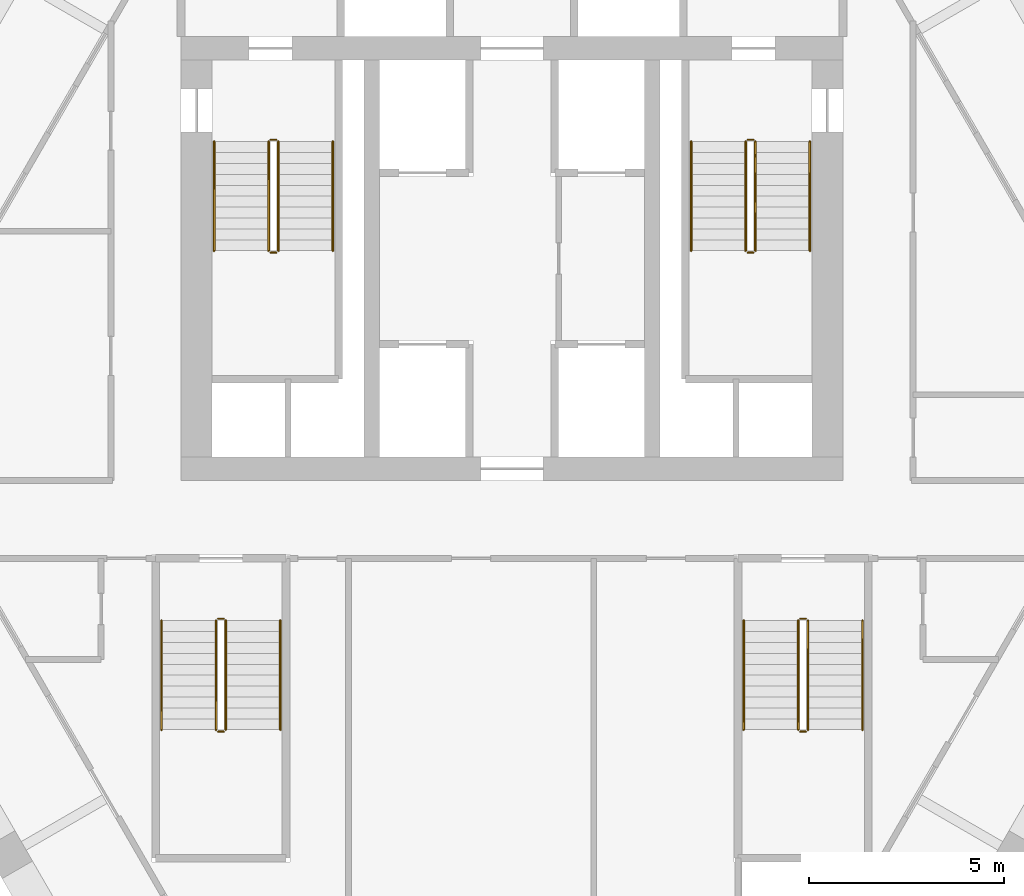
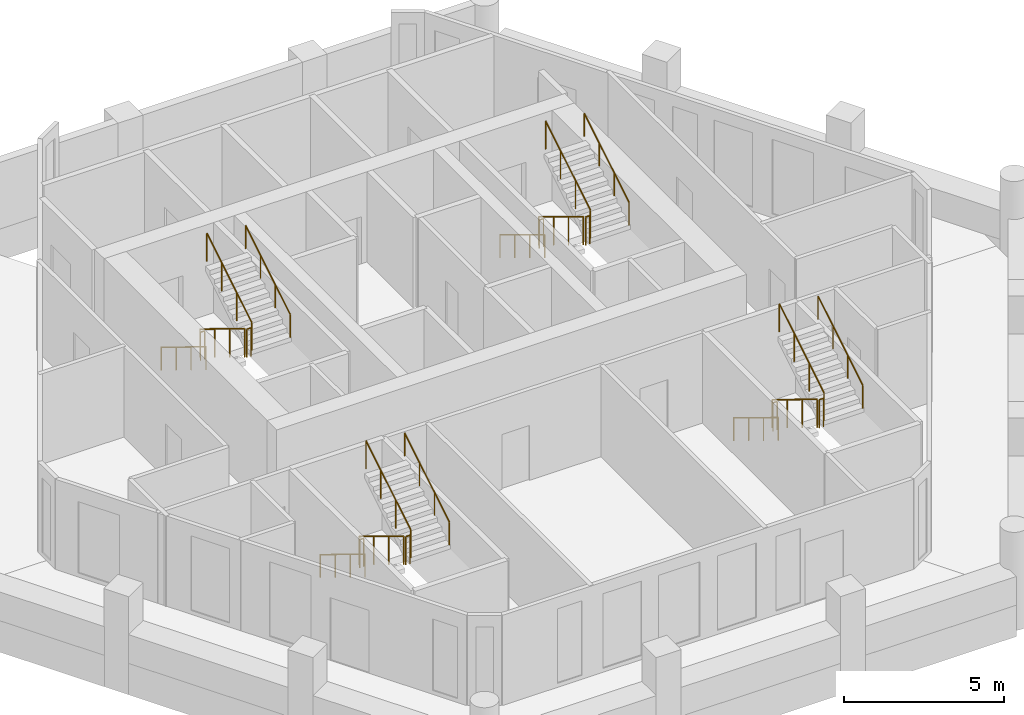
# One storey, part 6 of 6: 24 railings.
"""IFC4 building model written with IfcOpenShell, lengths in metres."""

from ifc_helpers import new_model, si_unit, direction, frame, origin, origin_2d, place, context, subcontext, project, spatial, circle, extrude, material, type_object, element, save


model = new_model("IFC4")

# Units and contexts
model_context = context("Model", 3, precision=1e-05, world=origin(), true_north=direction((0.0, 1.0)))
body_context = subcontext(model_context, "Body", "Model", "MODEL_VIEW")
ifc_project = project(units=[si_unit("LENGTHUNIT", "METRE"), si_unit("AREAUNIT", "SQUARE_METRE"), si_unit("VOLUMEUNIT", "CUBIC_METRE"), si_unit("PLANEANGLEUNIT", "RADIAN"), si_unit("MASSUNIT", "GRAM", prefix="KILO")], contexts=[model_context])

# Site, building, storey
site_placement = place(None, origin())
site = spatial("IfcSite", under=ifc_project, at=site_placement, CompositionType="ELEMENT")
building_placement = place(site_placement, origin())
building = spatial("IfcBuilding", under=site, at=building_placement, Name="Ostrander Bayou Hotel Tower", CompositionType="ELEMENT")
storey_placement = place(building_placement, frame((0.0, 0.0, 218.25)))
storey = spatial("IfcBuildingStorey", under=building, at=storey_placement, Name="L54", CompositionType="ELEMENT", Elevation=218.25)

# Railings
ifc_material_1 = material(Name="Steel ASTM A500 Gr C", Category="steel")
railing_type_1 = type_object("IfcRailingType", Name="GR1 stair guard 1100 mm steel", PredefinedType="GUARDRAIL", material=ifc_material_1)
railing_1_placement = place(storey_placement, frame((-6.25, 7.0, 0.17041015625)))
element("IfcRailing", 1, at=railing_1_placement, inside=storey, type_object=railing_type_1, Name="L54 STA stair guard 1", PredefinedType="GUARDRAIL", context=body_context, shape_type="SweptSolid", body=[
    extrude(circle(Radius=0.02392578125, at=origin_2d()), frame((0.0, 0.0, 1.076171875), z_axis=(0.0, -0.854169791009, 0.51999420009), x_axis=(1.0, 0.0, 0.0)), (0.0, 0.0, 1.0), 3.278076171875),
    extrude(circle(Radius=0.02099609375, at=origin_2d()), origin(), (0.0, 0.0, 1.0), 1.052001953125),
    extrude(circle(Radius=0.02099609375, at=origin_2d()), frame((0.0, -0.933349609375, 0.568115234375)), (0.0, 0.0, 1.0), 1.052001953125),
    extrude(circle(Radius=0.02099609375, at=origin_2d()), frame((0.0, -1.86669921875, 1.136474609375)), (0.0, 0.0, 1.0), 1.052001953125),
    extrude(circle(Radius=0.02099609375, at=origin_2d()), frame((0.0, -2.800048828125, 1.70458984375)), (0.0, 0.0, 1.0), 1.052001953125),
])
railing_2_placement = place(storey_placement, frame((-6.199951171875, 4.14990234375, 1.875)))
element("IfcRailing", 2, at=railing_2_placement, inside=storey, type_object=railing_type_1, Name="L54 STA stair guard 2", PredefinedType="GUARDRAIL", context=body_context, shape_type="SweptSolid", body=[
    extrude(circle(Radius=0.02392578125, at=origin_2d()), frame((0.0, 0.0, 1.076171875), z_axis=(1.0, 0.0, 0.0), x_axis=(0.0, 1.0, 0.0)), (0.0, 0.0, 1.0), 0.14990234375),
    extrude(circle(Radius=0.02099609375, at=origin_2d()), origin(), (0.0, 0.0, 1.0), 1.052001953125),
    extrude(circle(Radius=0.02099609375, at=origin_2d()), frame((0.14990234375, 0.0, 0.0)), (0.0, 0.0, 1.0), 1.052001953125),
])
railing_3_placement = place(storey_placement, frame((-6.0, 4.199951171875, 2.04541015625)))
element("IfcRailing", 3, at=railing_3_placement, inside=storey, type_object=railing_type_1, Name="L54 STA stair guard 3", PredefinedType="GUARDRAIL", context=body_context, shape_type="SweptSolid", body=[
    extrude(circle(Radius=0.02392578125, at=origin_2d()), frame((0.0, 0.0, 1.076171875), z_axis=(0.0, 0.854169791009, 0.51999420009), x_axis=(-1.0, 0.0, 0.0)), (0.0, 0.0, 1.0), 3.278076171875),
    extrude(circle(Radius=0.02099609375, at=origin_2d()), origin(), (0.0, 0.0, 1.0), 1.052001953125),
    extrude(circle(Radius=0.02099609375, at=origin_2d()), frame((0.0, 0.933349609375, 0.568115234375)), (0.0, 0.0, 1.0), 1.052001953125),
    extrude(circle(Radius=0.02099609375, at=origin_2d()), frame((0.0, 1.86669921875, 1.136474609375)), (0.0, 0.0, 1.0), 1.052001953125),
    extrude(circle(Radius=0.02099609375, at=origin_2d()), frame((0.0, 2.800048828125, 1.70458984375)), (0.0, 0.0, 1.0), 1.052001953125),
])
railing_4_placement = place(storey_placement, frame((-6.199951171875, 7.050048828125, 0.0)))
element("IfcRailing", 4, at=railing_4_placement, inside=storey, type_object=railing_type_1, Name="L54 STA stair guard 4", PredefinedType="GUARDRAIL", context=body_context, shape_type="SweptSolid", body=[
    extrude(circle(Radius=0.02392578125, at=origin_2d()), frame((0.0, 0.0, 1.076171875), z_axis=(1.0, 0.0, 0.0), x_axis=(0.0, 1.0, 0.0)), (0.0, 0.0, 1.0), 0.14990234375),
    extrude(circle(Radius=0.02099609375, at=origin_2d()), origin(), (0.0, 0.0, 1.0), 1.052001953125),
    extrude(circle(Radius=0.02099609375, at=origin_2d()), frame((0.14990234375, 0.0, 0.0)), (0.0, 0.0, 1.0), 1.052001953125),
])
railing_5_placement = place(storey_placement, frame((6.0, 7.0, 0.17041015625)))
element("IfcRailing", 5, at=railing_5_placement, inside=storey, type_object=railing_type_1, Name="L54 STB stair guard 1", PredefinedType="GUARDRAIL", context=body_context, shape_type="SweptSolid", body=[
    extrude(circle(Radius=0.02392578125, at=origin_2d()), frame((0.0, 0.0, 1.076171875), z_axis=(0.0, -0.854169791009, 0.51999420009), x_axis=(1.0, 0.0, 0.0)), (0.0, 0.0, 1.0), 3.278076171875),
    extrude(circle(Radius=0.02099609375, at=origin_2d()), origin(), (0.0, 0.0, 1.0), 1.052001953125),
    extrude(circle(Radius=0.02099609375, at=origin_2d()), frame((0.0, -0.933349609375, 0.568115234375)), (0.0, 0.0, 1.0), 1.052001953125),
    extrude(circle(Radius=0.02099609375, at=origin_2d()), frame((0.0, -1.86669921875, 1.136474609375)), (0.0, 0.0, 1.0), 1.052001953125),
    extrude(circle(Radius=0.02099609375, at=origin_2d()), frame((0.0, -2.800048828125, 1.70458984375)), (0.0, 0.0, 1.0), 1.052001953125),
])
railing_6_placement = place(storey_placement, frame((6.050048828125, 4.14990234375, 1.875)))
element("IfcRailing", 6, at=railing_6_placement, inside=storey, type_object=railing_type_1, Name="L54 STB stair guard 2", PredefinedType="GUARDRAIL", context=body_context, shape_type="SweptSolid", body=[
    extrude(circle(Radius=0.02392578125, at=origin_2d()), frame((0.0, 0.0, 1.076171875), z_axis=(1.0, 0.0, 0.0), x_axis=(0.0, 1.0, 0.0)), (0.0, 0.0, 1.0), 0.14990234375),
    extrude(circle(Radius=0.02099609375, at=origin_2d()), origin(), (0.0, 0.0, 1.0), 1.052001953125),
    extrude(circle(Radius=0.02099609375, at=origin_2d()), frame((0.14990234375, 0.0, 0.0)), (0.0, 0.0, 1.0), 1.052001953125),
])
railing_7_placement = place(storey_placement, frame((6.25, 4.199951171875, 2.04541015625)))
element("IfcRailing", 7, at=railing_7_placement, inside=storey, type_object=railing_type_1, Name="L54 STB stair guard 3", PredefinedType="GUARDRAIL", context=body_context, shape_type="SweptSolid", body=[
    extrude(circle(Radius=0.02392578125, at=origin_2d()), frame((0.0, 0.0, 1.076171875), z_axis=(0.0, 0.854169791009, 0.51999420009), x_axis=(-1.0, 0.0, 0.0)), (0.0, 0.0, 1.0), 3.278076171875),
    extrude(circle(Radius=0.02099609375, at=origin_2d()), origin(), (0.0, 0.0, 1.0), 1.052001953125),
    extrude(circle(Radius=0.02099609375, at=origin_2d()), frame((0.0, 0.933349609375, 0.568115234375)), (0.0, 0.0, 1.0), 1.052001953125),
    extrude(circle(Radius=0.02099609375, at=origin_2d()), frame((0.0, 1.86669921875, 1.136474609375)), (0.0, 0.0, 1.0), 1.052001953125),
    extrude(circle(Radius=0.02099609375, at=origin_2d()), frame((0.0, 2.800048828125, 1.70458984375)), (0.0, 0.0, 1.0), 1.052001953125),
])
railing_8_placement = place(storey_placement, frame((6.050048828125, 7.050048828125, 0.0)))
element("IfcRailing", 8, at=railing_8_placement, inside=storey, type_object=railing_type_1, Name="L54 STB stair guard 4", PredefinedType="GUARDRAIL", context=body_context, shape_type="SweptSolid", body=[
    extrude(circle(Radius=0.02392578125, at=origin_2d()), frame((0.0, 0.0, 1.076171875), z_axis=(1.0, 0.0, 0.0), x_axis=(0.0, 1.0, 0.0)), (0.0, 0.0, 1.0), 0.14990234375),
    extrude(circle(Radius=0.02099609375, at=origin_2d()), origin(), (0.0, 0.0, 1.0), 1.052001953125),
    extrude(circle(Radius=0.02099609375, at=origin_2d()), frame((0.14990234375, 0.0, 0.0)), (0.0, 0.0, 1.0), 1.052001953125),
])
railing_9_placement = place(storey_placement, frame((7.35009765625, -5.300048828125, 0.17041015625)))
element("IfcRailing", 9, at=railing_9_placement, inside=storey, type_object=railing_type_1, Name="L54 STC stair guard 1", PredefinedType="GUARDRAIL", context=body_context, shape_type="SweptSolid", body=[
    extrude(circle(Radius=0.02392578125, at=origin_2d()), frame((0.0, 0.0, 1.076171875), z_axis=(0.0, -0.854169791009, 0.51999420009), x_axis=(1.0, 0.0, 0.0)), (0.0, 0.0, 1.0), 3.278076171875),
    extrude(circle(Radius=0.02099609375, at=origin_2d()), origin(), (0.0, 0.0, 1.0), 1.052001953125),
    extrude(circle(Radius=0.02099609375, at=origin_2d()), frame((0.0, -0.933349609375, 0.568115234375)), (0.0, 0.0, 1.0), 1.052001953125),
    extrude(circle(Radius=0.02099609375, at=origin_2d()), frame((0.0, -1.86669921875, 1.136474609375)), (0.0, 0.0, 1.0), 1.052001953125),
    extrude(circle(Radius=0.02099609375, at=origin_2d()), frame((0.0, -2.800048828125, 1.70458984375)), (0.0, 0.0, 1.0), 1.052001953125),
])
railing_10_placement = place(storey_placement, frame((7.39990234375, -8.14990234375, 1.875)))
element("IfcRailing", 10, at=railing_10_placement, inside=storey, type_object=railing_type_1, Name="L54 STC stair guard 2", PredefinedType="GUARDRAIL", context=body_context, shape_type="SweptSolid", body=[
    extrude(circle(Radius=0.02392578125, at=origin_2d()), frame((0.0, 0.0, 1.076171875), z_axis=(1.0, 0.0, 0.0), x_axis=(0.0, 1.0, 0.0)), (0.0, 0.0, 1.0), 0.150146484375),
    extrude(circle(Radius=0.02099609375, at=origin_2d()), origin(), (0.0, 0.0, 1.0), 1.052001953125),
    extrude(circle(Radius=0.02099609375, at=origin_2d()), frame((0.150146484375, 0.0, 0.0)), (0.0, 0.0, 1.0), 1.052001953125),
])
railing_11_placement = place(storey_placement, frame((7.60009765625, -8.10009765625, 2.04541015625)))
element("IfcRailing", 11, at=railing_11_placement, inside=storey, type_object=railing_type_1, Name="L54 STC stair guard 3", PredefinedType="GUARDRAIL", context=body_context, shape_type="SweptSolid", body=[
    extrude(circle(Radius=0.02392578125, at=origin_2d()), frame((0.0, 0.0, 1.076171875), z_axis=(0.0, 0.854169791009, 0.51999420009), x_axis=(-1.0, 0.0, 0.0)), (0.0, 0.0, 1.0), 3.278076171875),
    extrude(circle(Radius=0.02099609375, at=origin_2d()), origin(), (0.0, 0.0, 1.0), 1.052001953125),
    extrude(circle(Radius=0.02099609375, at=origin_2d()), frame((0.0, 0.933349609375, 0.568115234375)), (0.0, 0.0, 1.0), 1.052001953125),
    extrude(circle(Radius=0.02099609375, at=origin_2d()), frame((0.0, 1.86669921875, 1.136474609375)), (0.0, 0.0, 1.0), 1.052001953125),
    extrude(circle(Radius=0.02099609375, at=origin_2d()), frame((0.0, 2.800048828125, 1.70458984375)), (0.0, 0.0, 1.0), 1.052001953125),
])
railing_12_placement = place(storey_placement, frame((7.39990234375, -5.25, 0.0)))
element("IfcRailing", 12, at=railing_12_placement, inside=storey, type_object=railing_type_1, Name="L54 STC stair guard 4", PredefinedType="GUARDRAIL", context=body_context, shape_type="SweptSolid", body=[
    extrude(circle(Radius=0.02392578125, at=origin_2d()), frame((0.0, 0.0, 1.076171875), z_axis=(1.0, 0.0, 0.0), x_axis=(0.0, 1.0, 0.0)), (0.0, 0.0, 1.0), 0.150146484375),
    extrude(circle(Radius=0.02099609375, at=origin_2d()), origin(), (0.0, 0.0, 1.0), 1.052001953125),
    extrude(circle(Radius=0.02099609375, at=origin_2d()), frame((0.150146484375, 0.0, 0.0)), (0.0, 0.0, 1.0), 1.052001953125),
])
railing_13_placement = place(storey_placement, frame((-7.60009765625, -5.300048828125, 0.17041015625)))
element("IfcRailing", 13, at=railing_13_placement, inside=storey, type_object=railing_type_1, Name="L54 STD stair guard 1", PredefinedType="GUARDRAIL", context=body_context, shape_type="SweptSolid", body=[
    extrude(circle(Radius=0.02392578125, at=origin_2d()), frame((0.0, 0.0, 1.076171875), z_axis=(0.0, -0.854169791009, 0.51999420009), x_axis=(1.0, 0.0, 0.0)), (0.0, 0.0, 1.0), 3.278076171875),
    extrude(circle(Radius=0.02099609375, at=origin_2d()), origin(), (0.0, 0.0, 1.0), 1.052001953125),
    extrude(circle(Radius=0.02099609375, at=origin_2d()), frame((0.0, -0.933349609375, 0.568115234375)), (0.0, 0.0, 1.0), 1.052001953125),
    extrude(circle(Radius=0.02099609375, at=origin_2d()), frame((0.0, -1.86669921875, 1.136474609375)), (0.0, 0.0, 1.0), 1.052001953125),
    extrude(circle(Radius=0.02099609375, at=origin_2d()), frame((0.0, -2.800048828125, 1.70458984375)), (0.0, 0.0, 1.0), 1.052001953125),
])
railing_14_placement = place(storey_placement, frame((-7.550048828125, -8.14990234375, 1.875)))
element("IfcRailing", 14, at=railing_14_placement, inside=storey, type_object=railing_type_1, Name="L54 STD stair guard 2", PredefinedType="GUARDRAIL", context=body_context, shape_type="SweptSolid", body=[
    extrude(circle(Radius=0.02392578125, at=origin_2d()), frame((0.0, 0.0, 1.076171875), z_axis=(1.0, 0.0, 0.0), x_axis=(0.0, 1.0, 0.0)), (0.0, 0.0, 1.0), 0.150146484375),
    extrude(circle(Radius=0.02099609375, at=origin_2d()), origin(), (0.0, 0.0, 1.0), 1.052001953125),
    extrude(circle(Radius=0.02099609375, at=origin_2d()), frame((0.150146484375, 0.0, 0.0)), (0.0, 0.0, 1.0), 1.052001953125),
])
railing_15_placement = place(storey_placement, frame((-7.35009765625, -8.10009765625, 2.04541015625)))
element("IfcRailing", 15, at=railing_15_placement, inside=storey, type_object=railing_type_1, Name="L54 STD stair guard 3", PredefinedType="GUARDRAIL", context=body_context, shape_type="SweptSolid", body=[
    extrude(circle(Radius=0.02392578125, at=origin_2d()), frame((0.0, 0.0, 1.076171875), z_axis=(0.0, 0.854169791009, 0.51999420009), x_axis=(-1.0, 0.0, 0.0)), (0.0, 0.0, 1.0), 3.278076171875),
    extrude(circle(Radius=0.02099609375, at=origin_2d()), origin(), (0.0, 0.0, 1.0), 1.052001953125),
    extrude(circle(Radius=0.02099609375, at=origin_2d()), frame((0.0, 0.933349609375, 0.568115234375)), (0.0, 0.0, 1.0), 1.052001953125),
    extrude(circle(Radius=0.02099609375, at=origin_2d()), frame((0.0, 1.86669921875, 1.136474609375)), (0.0, 0.0, 1.0), 1.052001953125),
    extrude(circle(Radius=0.02099609375, at=origin_2d()), frame((0.0, 2.800048828125, 1.70458984375)), (0.0, 0.0, 1.0), 1.052001953125),
])
railing_16_placement = place(storey_placement, frame((-7.550048828125, -5.25, 0.0)))
element("IfcRailing", 16, at=railing_16_placement, inside=storey, type_object=railing_type_1, Name="L54 STD stair guard 4", PredefinedType="GUARDRAIL", context=body_context, shape_type="SweptSolid", body=[
    extrude(circle(Radius=0.02392578125, at=origin_2d()), frame((0.0, 0.0, 1.076171875), z_axis=(1.0, 0.0, 0.0), x_axis=(0.0, 1.0, 0.0)), (0.0, 0.0, 1.0), 0.150146484375),
    extrude(circle(Radius=0.02099609375, at=origin_2d()), origin(), (0.0, 0.0, 1.0), 1.052001953125),
    extrude(circle(Radius=0.02099609375, at=origin_2d()), frame((0.150146484375, 0.0, 0.0)), (0.0, 0.0, 1.0), 1.052001953125),
])
ifc_material_2 = material(Name="Steel ASTM A500 Gr C", Category="steel")
railing_type_2 = type_object("IfcRailingType", Name="HR1 stair handrail 900 mm steel", PredefinedType="HANDRAIL", material=ifc_material_2)
railing_17_placement = place(storey_placement, frame((-7.64990234375, 7.0, 0.17041015625)))
element("IfcRailing", 17, at=railing_17_placement, inside=storey, type_object=railing_type_2, Name="L54 STA stair handrail 1", PredefinedType="HANDRAIL", context=body_context, shape_type="SweptSolid", body=[
    extrude(circle(Radius=0.02392578125, at=origin_2d()), frame((0.0, 0.0, 0.8759765625), z_axis=(0.0, -0.854169791009, 0.51999420009), x_axis=(1.0, 0.0, 0.0)), (0.0, 0.0, 1.0), 3.278076171875),
    extrude(circle(Radius=0.02099609375, at=origin_2d()), origin(), (0.0, 0.0, 1.0), 0.851806640625),
    extrude(circle(Radius=0.02099609375, at=origin_2d()), frame((0.0, -0.933349609375, 0.568115234375)), (0.0, 0.0, 1.0), 0.851806640625),
    extrude(circle(Radius=0.02099609375, at=origin_2d()), frame((0.0, -1.86669921875, 1.136474609375)), (0.0, 0.0, 1.0), 0.851806640625),
    extrude(circle(Radius=0.02099609375, at=origin_2d()), frame((0.0, -2.800048828125, 1.70458984375)), (0.0, 0.0, 1.0), 0.851806640625),
])
railing_18_placement = place(storey_placement, frame((-4.60009765625, 4.199951171875, 2.04541015625)))
element("IfcRailing", 18, at=railing_18_placement, inside=storey, type_object=railing_type_2, Name="L54 STA stair handrail 2", PredefinedType="HANDRAIL", context=body_context, shape_type="SweptSolid", body=[
    extrude(circle(Radius=0.02392578125, at=origin_2d()), frame((0.0, 0.0, 0.8759765625), z_axis=(0.0, 0.854169791009, 0.51999420009), x_axis=(-1.0, 0.0, 0.0)), (0.0, 0.0, 1.0), 3.278076171875),
    extrude(circle(Radius=0.02099609375, at=origin_2d()), origin(), (0.0, 0.0, 1.0), 0.851806640625),
    extrude(circle(Radius=0.02099609375, at=origin_2d()), frame((0.0, 0.933349609375, 0.568115234375)), (0.0, 0.0, 1.0), 0.851806640625),
    extrude(circle(Radius=0.02099609375, at=origin_2d()), frame((0.0, 1.86669921875, 1.136474609375)), (0.0, 0.0, 1.0), 0.851806640625),
    extrude(circle(Radius=0.02099609375, at=origin_2d()), frame((0.0, 2.800048828125, 1.70458984375)), (0.0, 0.0, 1.0), 0.851806640625),
])
railing_19_placement = place(storey_placement, frame((4.60009765625, 7.0, 0.17041015625)))
element("IfcRailing", 19, at=railing_19_placement, inside=storey, type_object=railing_type_2, Name="L54 STB stair handrail 1", PredefinedType="HANDRAIL", context=body_context, shape_type="SweptSolid", body=[
    extrude(circle(Radius=0.02392578125, at=origin_2d()), frame((0.0, 0.0, 0.8759765625), z_axis=(0.0, -0.854169791009, 0.51999420009), x_axis=(1.0, 0.0, 0.0)), (0.0, 0.0, 1.0), 3.278076171875),
    extrude(circle(Radius=0.02099609375, at=origin_2d()), origin(), (0.0, 0.0, 1.0), 0.851806640625),
    extrude(circle(Radius=0.02099609375, at=origin_2d()), frame((0.0, -0.933349609375, 0.568115234375)), (0.0, 0.0, 1.0), 0.851806640625),
    extrude(circle(Radius=0.02099609375, at=origin_2d()), frame((0.0, -1.86669921875, 1.136474609375)), (0.0, 0.0, 1.0), 0.851806640625),
    extrude(circle(Radius=0.02099609375, at=origin_2d()), frame((0.0, -2.800048828125, 1.70458984375)), (0.0, 0.0, 1.0), 0.851806640625),
])
railing_20_placement = place(storey_placement, frame((7.64990234375, 4.199951171875, 2.04541015625)))
element("IfcRailing", 20, at=railing_20_placement, inside=storey, type_object=railing_type_2, Name="L54 STB stair handrail 2", PredefinedType="HANDRAIL", context=body_context, shape_type="SweptSolid", body=[
    extrude(circle(Radius=0.02392578125, at=origin_2d()), frame((0.0, 0.0, 0.8759765625), z_axis=(0.0, 0.854169791009, 0.51999420009), x_axis=(-1.0, 0.0, 0.0)), (0.0, 0.0, 1.0), 3.278076171875),
    extrude(circle(Radius=0.02099609375, at=origin_2d()), origin(), (0.0, 0.0, 1.0), 0.851806640625),
    extrude(circle(Radius=0.02099609375, at=origin_2d()), frame((0.0, 0.933349609375, 0.568115234375)), (0.0, 0.0, 1.0), 0.851806640625),
    extrude(circle(Radius=0.02099609375, at=origin_2d()), frame((0.0, 1.86669921875, 1.136474609375)), (0.0, 0.0, 1.0), 0.851806640625),
    extrude(circle(Radius=0.02099609375, at=origin_2d()), frame((0.0, 2.800048828125, 1.70458984375)), (0.0, 0.0, 1.0), 0.851806640625),
])
railing_21_placement = place(storey_placement, frame((5.949951171875, -5.300048828125, 0.17041015625)))
element("IfcRailing", 21, at=railing_21_placement, inside=storey, type_object=railing_type_2, Name="L54 STC stair handrail 1", PredefinedType="HANDRAIL", context=body_context, shape_type="SweptSolid", body=[
    extrude(circle(Radius=0.02392578125, at=origin_2d()), frame((0.0, 0.0, 0.8759765625), z_axis=(0.0, -0.854169791009, 0.51999420009), x_axis=(1.0, 0.0, 0.0)), (0.0, 0.0, 1.0), 3.278076171875),
    extrude(circle(Radius=0.02099609375, at=origin_2d()), origin(), (0.0, 0.0, 1.0), 0.851806640625),
    extrude(circle(Radius=0.02099609375, at=origin_2d()), frame((0.0, -0.933349609375, 0.568115234375)), (0.0, 0.0, 1.0), 0.851806640625),
    extrude(circle(Radius=0.02099609375, at=origin_2d()), frame((0.0, -1.86669921875, 1.136474609375)), (0.0, 0.0, 1.0), 0.851806640625),
    extrude(circle(Radius=0.02099609375, at=origin_2d()), frame((0.0, -2.800048828125, 1.70458984375)), (0.0, 0.0, 1.0), 0.851806640625),
])
railing_22_placement = place(storey_placement, frame((9.0, -8.10009765625, 2.04541015625)))
element("IfcRailing", 22, at=railing_22_placement, inside=storey, type_object=railing_type_2, Name="L54 STC stair handrail 2", PredefinedType="HANDRAIL", context=body_context, shape_type="SweptSolid", body=[
    extrude(circle(Radius=0.02392578125, at=origin_2d()), frame((0.0, 0.0, 0.8759765625), z_axis=(0.0, 0.854169791009, 0.51999420009), x_axis=(-1.0, 0.0, 0.0)), (0.0, 0.0, 1.0), 3.278076171875),
    extrude(circle(Radius=0.02099609375, at=origin_2d()), origin(), (0.0, 0.0, 1.0), 0.851806640625),
    extrude(circle(Radius=0.02099609375, at=origin_2d()), frame((0.0, 0.933349609375, 0.568115234375)), (0.0, 0.0, 1.0), 0.851806640625),
    extrude(circle(Radius=0.02099609375, at=origin_2d()), frame((0.0, 1.86669921875, 1.136474609375)), (0.0, 0.0, 1.0), 0.851806640625),
    extrude(circle(Radius=0.02099609375, at=origin_2d()), frame((0.0, 2.800048828125, 1.70458984375)), (0.0, 0.0, 1.0), 0.851806640625),
])
railing_23_placement = place(storey_placement, frame((-9.0, -5.300048828125, 0.17041015625)))
element("IfcRailing", 23, at=railing_23_placement, inside=storey, type_object=railing_type_2, Name="L54 STD stair handrail 1", PredefinedType="HANDRAIL", context=body_context, shape_type="SweptSolid", body=[
    extrude(circle(Radius=0.02392578125, at=origin_2d()), frame((0.0, 0.0, 0.8759765625), z_axis=(0.0, -0.854169791009, 0.51999420009), x_axis=(1.0, 0.0, 0.0)), (0.0, 0.0, 1.0), 3.278076171875),
    extrude(circle(Radius=0.02099609375, at=origin_2d()), origin(), (0.0, 0.0, 1.0), 0.851806640625),
    extrude(circle(Radius=0.02099609375, at=origin_2d()), frame((0.0, -0.933349609375, 0.568115234375)), (0.0, 0.0, 1.0), 0.851806640625),
    extrude(circle(Radius=0.02099609375, at=origin_2d()), frame((0.0, -1.86669921875, 1.136474609375)), (0.0, 0.0, 1.0), 0.851806640625),
    extrude(circle(Radius=0.02099609375, at=origin_2d()), frame((0.0, -2.800048828125, 1.70458984375)), (0.0, 0.0, 1.0), 0.851806640625),
])
railing_24_placement = place(storey_placement, frame((-5.949951171875, -8.10009765625, 2.04541015625)))
element("IfcRailing", 24, at=railing_24_placement, inside=storey, type_object=railing_type_2, Name="L54 STD stair handrail 2", PredefinedType="HANDRAIL", context=body_context, shape_type="SweptSolid", body=[
    extrude(circle(Radius=0.02392578125, at=origin_2d()), frame((0.0, 0.0, 0.8759765625), z_axis=(0.0, 0.854169791009, 0.51999420009), x_axis=(-1.0, 0.0, 0.0)), (0.0, 0.0, 1.0), 3.278076171875),
    extrude(circle(Radius=0.02099609375, at=origin_2d()), origin(), (0.0, 0.0, 1.0), 0.851806640625),
    extrude(circle(Radius=0.02099609375, at=origin_2d()), frame((0.0, 0.933349609375, 0.568115234375)), (0.0, 0.0, 1.0), 0.851806640625),
    extrude(circle(Radius=0.02099609375, at=origin_2d()), frame((0.0, 1.86669921875, 1.136474609375)), (0.0, 0.0, 1.0), 0.851806640625),
    extrude(circle(Radius=0.02099609375, at=origin_2d()), frame((0.0, 2.800048828125, 1.70458984375)), (0.0, 0.0, 1.0), 0.851806640625),
])

save(model, "model.ifc")
